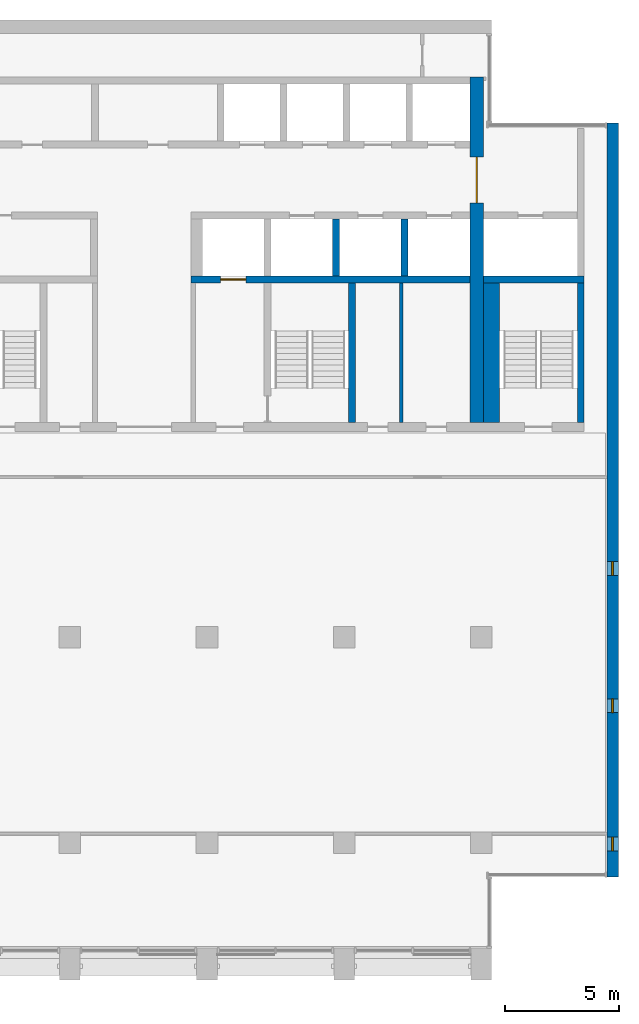
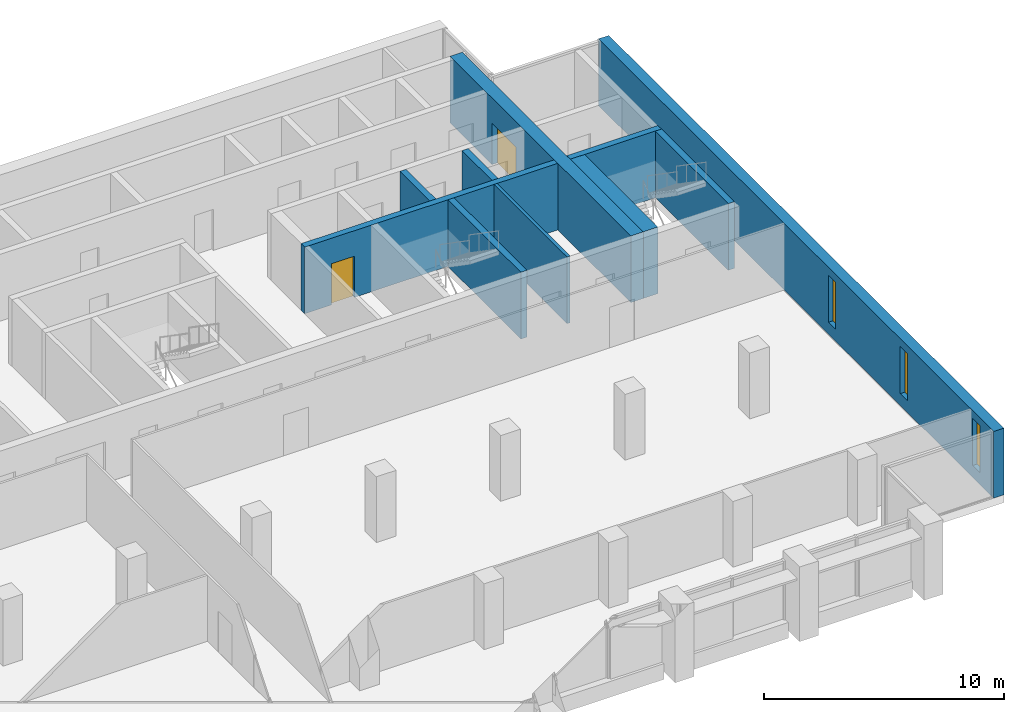
# One storey, part 9 of 14: 10 walls, 3 windows, 2 doors, 5 openings.
"""IFC4 building model written with IfcOpenShell, lengths in metres."""

from ifc_helpers import new_model, si_unit, direction, frame, frame_2d, origin, place, context, subcontext, project, spatial, rectangle, extrude, material, layer, layer_set, type_object, element, fill, save


model = new_model("IFC4")

# Units and contexts
model_context = context("Model", 3, precision=1e-05, world=origin(), true_north=direction((0.0, 1.0)))
body_context = subcontext(model_context, "Body", "Model", "MODEL_VIEW")
ifc_project = project(units=[si_unit("LENGTHUNIT", "METRE"), si_unit("AREAUNIT", "SQUARE_METRE"), si_unit("VOLUMEUNIT", "CUBIC_METRE"), si_unit("PLANEANGLEUNIT", "RADIAN"), si_unit("MASSUNIT", "GRAM", prefix="KILO")], contexts=[model_context])

# Site, building, storey
site_placement = place(None, origin())
site = spatial("IfcSite", under=ifc_project, at=site_placement, CompositionType="ELEMENT")
building_placement = place(site_placement, origin())
building = spatial("IfcBuilding", under=site, at=building_placement, Name="Calvaro Tower", CompositionType="ELEMENT")
storey_placement = place(building_placement, frame((0.0, 0.0, 235.550048828125)))
storey = spatial("IfcBuildingStorey", under=building, at=storey_placement, Name="L59", CompositionType="ELEMENT", Elevation=235.550048828125)

# Walls
ifc_material_1 = material(Name="Blockwork partition", Category="masonry")
ifc_layer_1 = layer(ifc_material_1, 0.14990234375)
ifc_layer_set_1 = layer_set([ifc_layer_1], Name="Blockwork partition")
wall_type_1 = type_object("IfcWallType", Name="Core partition 150 EI 60", PredefinedType="PARTITIONING", material=ifc_layer_set_1)
wall_1_placement = place(storey_placement, frame((56.5, 28.39990234375, 0.0), z_axis=(0.0, 0.0, 1.0), x_axis=(0.0, 1.0, 0.0)))
element("IfcWall", 1, at=wall_1_placement, inside=storey, type_object=wall_type_1, Name="Core partition", PredefinedType="PARTITIONING", context=body_context, shape_type="SweptSolid", body=[
    extrude(rectangle(XDim=6.10009765625, YDim=0.14990234375, at=frame_2d((3.050048828125, 0.0))), origin(), (0.0, 0.0, 1.0), 3.39990234375),
])
ifc_material_2 = material(Name="Concrete C40/50", Category="concrete")
ifc_layer_2 = layer(ifc_material_2, 0.300048828125)
ifc_layer_set_2 = layer_set([ifc_layer_2], Name="Concrete C40/50")
wall_type_2 = type_object("IfcWallType", Name="Core wall C40/50 300", PredefinedType="SHEAR", material=ifc_layer_set_2)
for number, where, z_axis, x_axis, name in (
    (2, (54.35009765625, 28.39990234375, 0.0), (0.0, 0.0, 1.0), (0.0, 1.0, 0.0), "Core wall, stair enclosure"),
    (3, (64.35009765625, 28.39990234375, 0.0), (0.0, 0.0, 1.0), (0.0, 1.0, 0.0), "Core wall, stair enclosure"),
):
    element("IfcWall", number, at=place(storey_placement, frame(where, z_axis=z_axis, x_axis=x_axis)), inside=storey, type_object=wall_type_2, Name=name, PredefinedType="SHEAR", context=body_context, shape_type="SweptSolid", body=[
        extrude(rectangle(XDim=6.10009765625, YDim=0.300048828125, at=frame_2d((3.050048828125, 0.0))), origin(), (0.0, 0.0, 1.0), 3.39990234375),
    ])

# Wall, opening, door
wall_2_placement = place(storey_placement, frame((47.300048828125, 34.64990234375, 0.0), z_axis=(0.0, 0.0, 1.0), x_axis=(1.0, 0.0, 0.0)))
wall_2 = element("IfcWall", 4, at=wall_2_placement, inside=storey, type_object=wall_type_2, Name="Core wall, lift shaft", PredefinedType="SHEAR", context=body_context, shape_type="SweptSolid", body=[
    extrude(rectangle(XDim=12.199951171875, YDim=0.300048828125, at=frame_2d((6.10009765625, 0.0))), origin(), (0.0, 0.0, 1.0), 3.39990234375),
])
opening_1_placement = place(wall_2_placement, frame((1.300048828125, 0.0, 0.0)))
opening_1 = element("IfcOpeningElement", 5, at=opening_1_placement, cuts=wall_2, Name="Opening FF2", PredefinedType="OPENING", context=body_context, shape_type="SweptSolid", body=[
    extrude(rectangle(XDim=1.10009765625, YDim=2.10009765625, at=frame_2d((0.550048828125, 1.050048828125))), frame((0.0, 0.159912109375, 0.0), z_axis=(0.0, -1.0, 0.0), x_axis=(1.0, 0.0, 0.0)), (0.0, 0.0, 1.0), 0.320068359375),
])
ifc_material_3 = material(Name="Stainless steel", Category="steel")
door_type_1 = type_object("IfcDoorType", Name="Landing door 1100 E 60", OperationType="SLIDING_TO_LEFT", PredefinedType="DOOR", material=ifc_material_3)
door_1_placement = place(opening_1_placement, origin())
door_1 = element("IfcDoor", 6, at=door_1_placement, inside=storey, type_object=door_type_1, Name="Landing door FF2", OperationType="SLIDING_TO_LEFT", OverallHeight=2.10009765625, OverallWidth=1.10009765625, PredefinedType="DOOR", context=body_context, shape_type="SweptSolid", body=[
    extrude(rectangle(XDim=1.10009765625, YDim=2.10009765625, at=frame_2d((0.550048828125, 1.050048828125))), frame((0.0, 0.02490234375, 0.0), z_axis=(0.0, -1.0, 0.0), x_axis=(1.0, 0.0, 0.0)), (0.0, 0.0, 1.0), 0.050048828125),
])
fill(opening_1, door_1)

# Walls
wall_3_placement = place(storey_placement, frame((60.10009765625, 34.64990234375, 0.0), z_axis=(0.0, 0.0, 1.0), x_axis=(1.0, 0.0, 0.0)))
element("IfcWall", 7, at=wall_3_placement, inside=storey, type_object=wall_type_2, Name="Core wall, lift shaft", PredefinedType="SHEAR", context=body_context, shape_type="SweptSolid", body=[
    extrude(rectangle(XDim=4.39990234375, YDim=0.300048828125, at=frame_2d((2.199951171875, 0.0))), origin(), (0.0, 0.0, 1.0), 3.39990234375),
])
for number, where, z_axis, x_axis, name in (
    (8, (53.64990234375, 34.800048828125, 0.0), (0.0, 0.0, 1.0), (0.0, 1.0, 0.0), "Core wall, lift shaft"),
    (9, (56.64990234375, 34.800048828125, 0.0), (0.0, 0.0, 1.0), (0.0, 1.0, 0.0), "Core wall, lift shaft"),
):
    element("IfcWall", number, at=place(storey_placement, frame(where, z_axis=z_axis, x_axis=x_axis)), inside=storey, type_object=wall_type_2, Name=name, PredefinedType="SHEAR", context=body_context, shape_type="SweptSolid", body=[
        extrude(rectangle(XDim=2.5, YDim=0.300048828125, at=frame_2d((1.25, 0.0))), origin(), (0.0, 0.0, 1.0), 3.39990234375),
    ])

# Wall, opening, door
ifc_material_4 = material(Name="Concrete C40/50", Category="concrete")
ifc_layer_3 = layer(ifc_material_4, 0.60009765625)
ifc_layer_set_3 = layer_set([ifc_layer_3], Name="Concrete C40/50")
wall_type_3 = type_object("IfcWallType", Name="Core wall C40/50 600", PredefinedType="SHEAR", material=ifc_layer_set_3)
wall_4_placement = place(storey_placement, frame((59.800048828125, 28.39990234375, 0.0), z_axis=(0.0, 0.0, 1.0), x_axis=(0.0, 1.0, 0.0)))
wall_4 = element("IfcWall", 10, at=wall_4_placement, inside=storey, type_object=wall_type_3, Name="Core wall, cross shear wall", PredefinedType="SHEAR", context=body_context, shape_type="SweptSolid", body=[
    extrude(rectangle(XDim=15.10009765625, YDim=0.60009765625, at=frame_2d((7.550048828125, 0.0))), origin(), (0.0, 0.0, 1.0), 3.39990234375),
])
opening_2_placement = place(wall_4_placement, frame((9.60009765625, 0.0, 0.0)))
opening_2 = element("IfcOpeningElement", 11, at=opening_2_placement, cuts=wall_4, Name="Opening DD20D", PredefinedType="OPENING", context=body_context, shape_type="SweptSolid", body=[
    extrude(rectangle(XDim=2.0, YDim=2.10009765625, at=frame_2d((1.0, 1.050048828125))), frame((0.0, 0.31005859375, 0.0), z_axis=(0.0, -1.0, 0.0), x_axis=(1.0, 0.0, 0.0)), (0.0, 0.0, 1.0), 0.6201171875),
])
ifc_material_5 = material(Name="Steel door set", Category="steel")
door_type_2 = type_object("IfcDoorType", Name="Lobby double door 2000 FD30S", OperationType="DOUBLE_DOOR_SINGLE_SWING", PredefinedType="DOOR", material=ifc_material_5)
door_2_placement = place(opening_2_placement, origin())
door_2 = element("IfcDoor", 12, at=door_2_placement, inside=storey, type_object=door_type_2, Name="Lobby double door", OperationType="DOUBLE_DOOR_SINGLE_SWING", OverallHeight=2.10009765625, OverallWidth=2.0, PredefinedType="DOOR", context=body_context, shape_type="SweptSolid", body=[
    extrude(rectangle(XDim=2.0, YDim=2.10009765625, at=frame_2d((1.0, 1.050048828125))), frame((0.0, 0.02490234375, 0.0), z_axis=(0.0, -1.0, 0.0), x_axis=(1.0, 0.0, 0.0)), (0.0, 0.0, 1.0), 0.050048828125),
])
fill(opening_2, door_2)

# Wall
ifc_material_6 = material(Name="Concrete C40/50", Category="concrete")
ifc_layer_4 = layer(ifc_material_6, 0.699951171875)
ifc_layer_set_4 = layer_set([ifc_layer_4], Name="Concrete C40/50")
wall_type_4 = type_object("IfcWallType", Name="Core wall C40/50 700", PredefinedType="SHEAR", material=ifc_layer_set_4)
wall_5_placement = place(storey_placement, frame((60.449951171875, 28.39990234375, 0.0), z_axis=(0.0, 0.0, 1.0), x_axis=(0.0, 1.0, 0.0)))
element("IfcWall", 13, at=wall_5_placement, inside=storey, type_object=wall_type_4, Name="Core wall, stair enclosure", PredefinedType="SHEAR", context=body_context, shape_type="SweptSolid", body=[
    extrude(rectangle(XDim=6.10009765625, YDim=0.699951171875, at=frame_2d((3.050048828125, 0.0))), origin(), (0.0, 0.0, 1.0), 3.39990234375),
])

# Wall, openings, windows
ifc_material_7 = material(Name="Concrete C40/50", Category="concrete")
ifc_layer_5 = layer(ifc_material_7, 0.5)
ifc_layer_set_5 = layer_set([ifc_layer_5], Name="Concrete C40/50")
wall_type_5 = type_object("IfcWallType", Name="End wall 500 C40/50", PredefinedType="SHEAR", material=ifc_layer_set_5)
wall_6_placement = place(storey_placement, frame((65.75, 8.5, 0.0), z_axis=(0.0, 0.0, 1.0), x_axis=(0.0, 1.0, 0.0)))
wall_6 = element("IfcWall", 14, at=wall_6_placement, inside=storey, type_object=wall_type_5, Name="End shear wall", PredefinedType="SHEAR", context=body_context, shape_type="SweptSolid", body=[
    extrude(rectangle(XDim=33.0, YDim=0.5, at=frame_2d((16.5, 0.0))), origin(), (0.0, 0.0, 1.0), 3.39990234375),
])
opening_3_placement = place(wall_6_placement, frame((1.14990234375, 0.0, 0.60009765625)))
opening_3 = element("IfcOpeningElement", 15, at=opening_3_placement, cuts=wall_6, Name="Opening WE01", PredefinedType="OPENING", context=body_context, shape_type="SweptSolid", body=[
    extrude(rectangle(XDim=0.60009765625, YDim=2.39990234375, at=frame_2d((0.300048828125, 1.199951171875))), frame((0.0, 0.260009765625, 0.0), z_axis=(0.0, -1.0, 0.0), x_axis=(1.0, 0.0, 0.0)), (0.0, 0.0, 1.0), 0.52001953125),
])
opening_4_placement = place(wall_6_placement, frame((7.199951171875, 0.0, 0.60009765625)))
opening_4 = element("IfcOpeningElement", 16, at=opening_4_placement, cuts=wall_6, Name="Opening WE02", PredefinedType="OPENING", context=body_context, shape_type="SweptSolid", body=[
    extrude(rectangle(XDim=0.60009765625, YDim=2.39990234375, at=frame_2d((0.300048828125, 1.199951171875))), frame((0.0, 0.260009765625, 0.0), z_axis=(0.0, -1.0, 0.0), x_axis=(1.0, 0.0, 0.0)), (0.0, 0.0, 1.0), 0.52001953125),
])
opening_5_placement = place(wall_6_placement, frame((13.199951171875, 0.0, 0.60009765625)))
opening_5 = element("IfcOpeningElement", 17, at=opening_5_placement, cuts=wall_6, Name="Opening WE03", PredefinedType="OPENING", context=body_context, shape_type="SweptSolid", body=[
    extrude(rectangle(XDim=0.60009765625, YDim=2.39990234375, at=frame_2d((0.300048828125, 1.199951171875))), frame((0.0, 0.260009765625, 0.0), z_axis=(0.0, -1.0, 0.0), x_axis=(1.0, 0.0, 0.0)), (0.0, 0.0, 1.0), 0.52001953125),
])
ifc_material_8 = material(Name="Glass", Category="glass")
window_type = type_object("IfcWindowType", Name="Slit window 600 x 2400", PartitioningType="SINGLE_PANEL", PredefinedType="WINDOW", material=ifc_material_8)
window_1_placement = place(opening_3_placement, origin())
window_1 = element("IfcWindow", 18, at=window_1_placement, inside=storey, type_object=window_type, Name="Window WE01", OverallHeight=2.39990234375, OverallWidth=0.60009765625, PartitioningType="SINGLE_PANEL", PredefinedType="WINDOW", context=body_context, shape_type="SweptSolid", body=[
    extrude(rectangle(XDim=0.60009765625, YDim=2.39990234375, at=frame_2d((0.300048828125, 1.199951171875))), frame((0.0, 0.030029296875, 0.0), z_axis=(0.0, -1.0, 0.0), x_axis=(1.0, 0.0, 0.0)), (0.0, 0.0, 1.0), 0.06005859375),
])
fill(opening_3, window_1)
window_2_placement = place(opening_4_placement, origin())
window_2 = element("IfcWindow", 19, at=window_2_placement, inside=storey, type_object=window_type, Name="Window WE02", OverallHeight=2.39990234375, OverallWidth=0.60009765625, PartitioningType="SINGLE_PANEL", PredefinedType="WINDOW", context=body_context, shape_type="SweptSolid", body=[
    extrude(rectangle(XDim=0.60009765625, YDim=2.39990234375, at=frame_2d((0.300048828125, 1.199951171875))), frame((0.0, 0.030029296875, 0.0), z_axis=(0.0, -1.0, 0.0), x_axis=(1.0, 0.0, 0.0)), (0.0, 0.0, 1.0), 0.06005859375),
])
fill(opening_4, window_2)
window_3_placement = place(opening_5_placement, origin())
window_3 = element("IfcWindow", 20, at=window_3_placement, inside=storey, type_object=window_type, Name="Window WE03", OverallHeight=2.39990234375, OverallWidth=0.60009765625, PartitioningType="SINGLE_PANEL", PredefinedType="WINDOW", context=body_context, shape_type="SweptSolid", body=[
    extrude(rectangle(XDim=0.60009765625, YDim=2.39990234375, at=frame_2d((0.300048828125, 1.199951171875))), frame((0.0, 0.030029296875, 0.0), z_axis=(0.0, -1.0, 0.0), x_axis=(1.0, 0.0, 0.0)), (0.0, 0.0, 1.0), 0.06005859375),
])
fill(opening_5, window_3)

save(model, "model.ifc")
